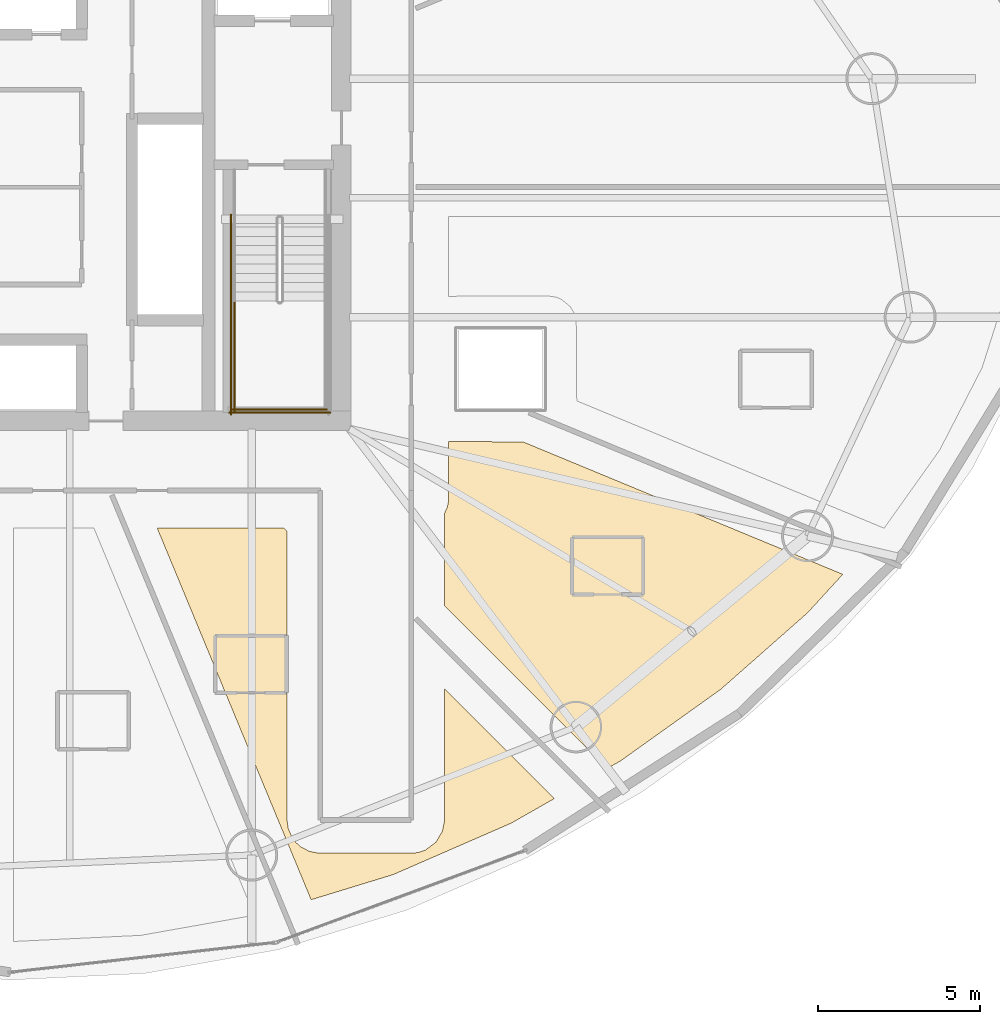
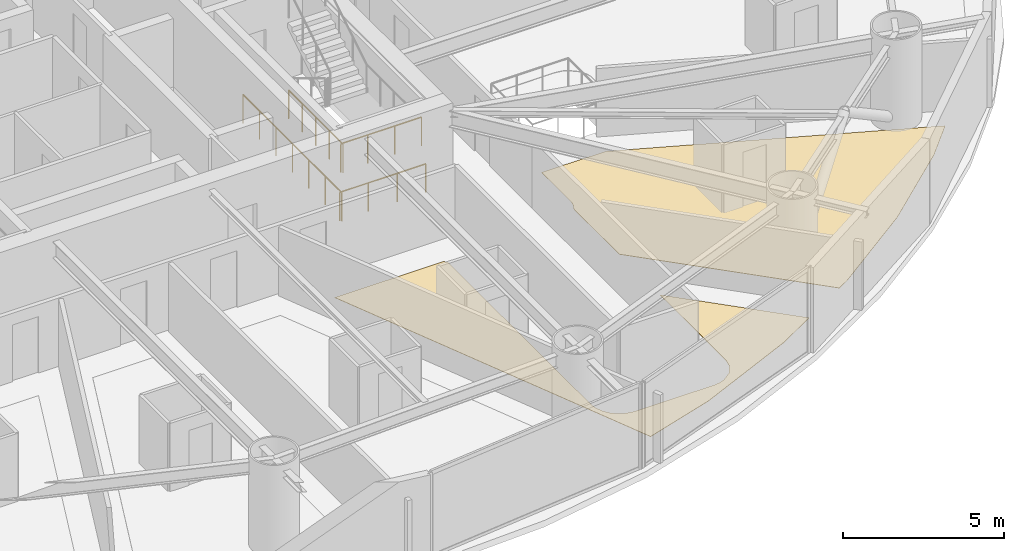
# One storey, part 25 of 27: 4 railings, 2 coverings.
"""IFC4 building model written with IfcOpenShell, lengths in metres."""

import ifcopenshell
import ifcopenshell.guid

model = None  # the IFC model being written
_history = None  # IfcOwnerHistory: only IFC2X3 demands one
_inside = {}  # id of a spatial element -> (the spatial element, [elements in it])
_under = {}  # id of a project, library or spatial element -> (it, [spatial elements below it])
_declared = {}  # id of a project -> (the project, [libraries it declares])
_typed = {}  # id of a type object -> (the type object, [elements of that type])
_made_of = {}  # id of a material, layer set ... -> (it, [elements and type objects made of it])


def new_model(schema):
    """Start an empty IFC model of exactly this schema.

    Asked for "IFC4X3", IfcOpenShell would pick the latest addendum, in which some entities
    have other attributes; the version numbers below select the first issue.
    IFC2X3 requires an IfcOwnerHistory on every rooted entity: one is made here for all.
    """
    global model, _history
    if schema == "IFC4X3":
        model = ifcopenshell.file(schema_version=(4, 3, 0, 0))
    else:
        model = ifcopenshell.file(schema=schema)
    _inside.clear()
    _under.clear()
    _declared.clear()
    _typed.clear()
    _made_of.clear()
    _history = None
    if model.schema == "IFC2X3":
        org = make("IfcOrganization", Name="unknown")
        user = make(
            "IfcPersonAndOrganization",
            ThePerson=make("IfcPerson", FamilyName="unknown"),
            TheOrganization=org,
        )
        app = make(
            "IfcApplication",
            ApplicationDeveloper=org,
            Version="unknown",
            ApplicationFullName="unknown",
            ApplicationIdentifier="unknown",
        )
        _history = make(
            "IfcOwnerHistory",
            OwningUser=user,
            OwningApplication=app,
            ChangeAction="ADDED",
            CreationDate=0,
        )
    return model


def make(cls, **values):
    """One entity of the class cls with the attributes given. An attribute that is None is left unset."""
    return model.create_entity(
        cls, **{name: value for name, value in values.items() if value is not None}
    )


def rooted(cls, **values):
    """An entity with a GlobalId (a new one), such as an element, a storey or a relation."""
    return make(cls, GlobalId=ifcopenshell.guid.new(), OwnerHistory=_history, **values)


def si_unit(unit_type, name, prefix=None):
    """IfcSIUnit, for example si_unit("LENGTHUNIT", "METRE", prefix="MILLI")."""
    return make("IfcSIUnit", UnitType=unit_type, Prefix=prefix, Name=name)


def assignment(units):
    """IfcUnitAssignment: the units of a project."""
    return None if units is None else make("IfcUnitAssignment", Units=units)


def point(xyz):
    """IfcCartesianPoint."""
    return None if xyz is None else make("IfcCartesianPoint", Coordinates=xyz)


def direction(xyz):
    """IfcDirection."""
    return None if xyz is None else make("IfcDirection", DirectionRatios=xyz)


def frame(location, z_axis=None, x_axis=None):
    """IfcAxis2Placement3D, a coordinate frame: its origin and axes. An axis left out is left unset."""
    return make(
        "IfcAxis2Placement3D",
        Location=point(location),
        Axis=direction(z_axis),
        RefDirection=direction(x_axis),
    )


def frame_2d(location, x_axis=None):
    """IfcAxis2Placement2D, a coordinate frame in the plane: its origin and x axis."""
    return make(
        "IfcAxis2Placement2D", Location=point(location), RefDirection=direction(x_axis)
    )


def origin():
    """The frame at (0, 0, 0) with its axes left unset."""
    return frame((0.0, 0.0, 0.0))


def origin_2d():
    """The frame at (0, 0) in the plane with its x axis left unset."""
    return frame_2d((0.0, 0.0))


def place(relative_to, where):
    """IfcLocalPlacement: puts the frame where relative to a parent placement (None: the world)."""
    return make(
        "IfcLocalPlacement", PlacementRelTo=relative_to, RelativePlacement=where
    )


def context(
    kind, dimensions, precision=None, world=None, true_north=None, identifier=None
):
    """IfcGeometricRepresentationContext, for example the 3D "Model" context."""
    return make(
        "IfcGeometricRepresentationContext",
        ContextIdentifier=identifier,
        ContextType=kind,
        CoordinateSpaceDimension=dimensions,
        Precision=precision,
        WorldCoordinateSystem=world,
        TrueNorth=true_north,
    )


def subcontext(parent, identifier, kind, view, scale=None):
    """IfcGeometricRepresentationSubContext, for example "Body" below "Model"."""
    return make(
        "IfcGeometricRepresentationSubContext",
        ContextIdentifier=identifier,
        ContextType=kind,
        ParentContext=parent,
        TargetScale=scale,
        TargetView=view,
    )


def project(units=None, contexts=None):
    """IfcProject with its units and contexts."""
    return rooted(
        "IfcProject",
        Name="project",
        RepresentationContexts=contexts,
        UnitsInContext=assignment(units),
    )


def spatial(cls, under=None, at=None, **own):
    """A site, building, storey or space (cls), placed at a placement, below another one or the project."""
    s = rooted(cls, ObjectPlacement=at, **own)
    if under is not None:
        _under.setdefault(under.id(), (under, []))[1].append(s)
    return s


def polyline(points):
    """IfcPolyline through the points."""
    return make("IfcPolyline", Points=[point(p) for p in points])


def profile(cls, at=None, kind="AREA", **sizes):
    """A parametric profile (cls). Its sizes go by their IFC names, for example OverallWidth=200.0."""
    return make(cls, ProfileType=kind, Position=at, **sizes)


def circle(**sizes):
    """IfcCircleProfileDef."""
    return profile("IfcCircleProfileDef", **sizes)


def outline(outer, holes=None, kind="AREA"):
    """IfcArbitraryClosedProfileDef: a profile drawn as a closed curve; with holes, ...WithVoids."""
    if holes is None:
        return make("IfcArbitraryClosedProfileDef", ProfileType=kind, OuterCurve=outer)
    return make(
        "IfcArbitraryProfileDefWithVoids",
        ProfileType=kind,
        OuterCurve=outer,
        InnerCurves=holes,
    )


def extrude(swept, where, along, depth):
    """IfcExtrudedAreaSolid: the profile swept, set in the frame where, extruded along a direction by depth."""
    return make(
        "IfcExtrudedAreaSolid",
        SweptArea=swept,
        Position=where,
        ExtrudedDirection=direction(along),
        Depth=depth,
    )


def shape(context_of_items, identifier, shape_type, items):
    """IfcShapeRepresentation: the items that make up one representation, for example the "Body"."""
    return make(
        "IfcShapeRepresentation",
        ContextOfItems=context_of_items,
        RepresentationIdentifier=identifier,
        RepresentationType=shape_type,
        Items=items,
    )


def material(Name=None, Category=None):
    """IfcMaterial."""
    return make("IfcMaterial", Name=Name, Category=Category)


def layer(
    of_material, thickness, ventilated=None, Name=None, Category=None, Priority=None
):
    """IfcMaterialLayer: one layer of a wall or slab, of a material (None: an air gap)."""
    return make(
        "IfcMaterialLayer",
        Material=of_material,
        LayerThickness=thickness,
        IsVentilated=ventilated,
        Name=Name,
        Category=Category,
        Priority=Priority,
    )


def layer_set(layers, Name=None):
    """IfcMaterialLayerSet."""
    return make("IfcMaterialLayerSet", MaterialLayers=layers, LayerSetName=Name)


def made_of(thing, what):
    """Note that an element or type object is made of a material, layer set ...; save() writes the relation."""
    if what is not None:
        _made_of.setdefault(what.id(), (what, []))[1].append(thing)
    return thing


def type_object(cls, material=None, **own):
    """A type object (cls), such as IfcWallType, which elements share."""
    return made_of(rooted(cls, **own), material)


def element(
    cls,
    number,
    at=None,
    inside=None,
    cuts=None,
    type_object=None,
    material=None,
    context=None,
    identifier="Body",
    shape_type=None,
    held_by="IfcProductDefinitionShape",
    body=None,
    shapes=None,
    **own,
):
    """One element of the class cls, such as IfcWall. Its Tag is "e" and its number.

    at: its placement. inside: the storey or other place that contains it. cuts: it is an
    opening in that element (IfcRelVoidsElement). A single representation is given by context,
    identifier, shape_type and body (its items); several are given by shapes. held_by: the class
    of the entity that holds the representations. save() writes the other relations.
    """
    e = rooted(cls, Tag="e%d" % number, ObjectPlacement=at, **own)
    if body is not None:
        shapes = [shape(context, identifier, shape_type, body)]
    if shapes is not None:
        e.Representation = make(held_by, Representations=shapes)
    if inside is not None:
        _inside.setdefault(inside.id(), (inside, []))[1].append(e)
    if cuts is not None:
        rooted(
            "IfcRelVoidsElement", RelatingBuildingElement=cuts, RelatedOpeningElement=e
        )
    if type_object is not None:
        _typed.setdefault(type_object.id(), (type_object, []))[1].append(e)
    return made_of(e, material)


def aggregate(whole, parts):
    """IfcRelAggregates: a whole, such as a stair, and the parts it consists of."""
    return rooted("IfcRelAggregates", RelatingObject=whole, RelatedObjects=parts)


def save(model, path):
    """Write the relations noted so far, then the file.

    IfcRelAggregates (storeys below a building ...), IfcRelContainedInSpatialStructure (elements
    in a storey), IfcRelDefinesByType, IfcRelAssociatesMaterial and IfcRelDeclares: one each for
    every whole, place, type object, material and project.
    """
    for whole, parts in _under.values():
        aggregate(whole, parts)
    for where, things in _inside.values():
        rooted(
            "IfcRelContainedInSpatialStructure",
            RelatedElements=things,
            RelatingStructure=where,
        )
    for kind, things in _typed.values():
        rooted("IfcRelDefinesByType", RelatedObjects=things, RelatingType=kind)
    for what, things in _made_of.values():
        rooted("IfcRelAssociatesMaterial", RelatedObjects=things, RelatingMaterial=what)
    for by, libraries in _declared.values():
        rooted("IfcRelDeclares", RelatingContext=by, RelatedDefinitions=libraries)
    model.write(path)


model = new_model("IFC4")

# Units and contexts
model_context = context("Model", 3, precision=1e-05, world=origin(), true_north=direction((0.0, 1.0)))
body_context = subcontext(model_context, "Body", "Model", "MODEL_VIEW")
ifc_project = project(units=[si_unit("LENGTHUNIT", "METRE"), si_unit("AREAUNIT", "SQUARE_METRE"), si_unit("VOLUMEUNIT", "CUBIC_METRE"), si_unit("PLANEANGLEUNIT", "RADIAN"), si_unit("MASSUNIT", "GRAM", prefix="KILO")], contexts=[model_context])

# Site, building, storey
site_placement = place(None, origin())
site = spatial("IfcSite", under=ifc_project, at=site_placement, CompositionType="ELEMENT")
building_placement = place(site_placement, origin())
building = spatial("IfcBuilding", under=site, at=building_placement, Name="Bramvorn Convention Spire", CompositionType="ELEMENT")
storey_placement = place(building_placement, frame((0.0, 0.0, 41.39990234375)))
storey = spatial("IfcBuildingStorey", under=building, at=storey_placement, Name="L07", CompositionType="ELEMENT", Elevation=41.39990234375)

# Coverings
ifc_material_1 = material(Name="Solution-Dyed Wool Broadloom Hospitality Carpet", Category="textile")
ifc_layer = layer(ifc_material_1, 0.014892578125)
ifc_layer_set = layer_set([ifc_layer], Name="Solution-Dyed Wool Broadloom Hospitality Carpet - FLR-CARPET-15")
covering_type = type_object("IfcCoveringType", Name="FLR-CARPET-15", PredefinedType="FLOORING", material=ifc_layer_set)
covering_1_placement = place(storey_placement, origin())
element("IfcCovering", 1, at=covering_1_placement, inside=storey, type_object=covering_type, Name="Hotel Suite 0714 wool broadloom carpet", PredefinedType="FLOORING", context=body_context, shape_type="SweptSolid", body=[
    extrude(outline(polyline([(54.23046875, 6.40625), (55.56201171875, 7.1650390625), (52.169921875, 10.55712890625), (52.168212890625, 6.444091796875), (52.1083984375, 6.15087890625), (51.90966796875, 5.819580078125), (51.59130859375, 5.58056640625), (51.39208984375, 5.50927734375), (51.194091796875, 5.481201171875), (48.294189453125, 5.481689453125), (48.011962890625, 5.537841796875), (47.747314453125, 5.67724609375), (47.598388671875, 5.810791015625), (47.47216796875, 5.980712890625), (47.362060546875, 6.24658203125), (47.3310546875, 6.455810546875), (47.330078125, 15.397216796875), (47.227294921875, 15.5), (43.323486328125, 15.5), (48.06689453125, 4.048095703125), (50.593994140625, 4.821533203125), (54.23046875, 6.40625)])), origin(), (0.0, 0.0, 1.0), 0.01513671875),
])
covering_2_placement = place(storey_placement, origin())
element("IfcCovering", 2, at=covering_2_placement, inside=storey, type_object=covering_type, Name="Hotel Suite 0715 wool broadloom carpet", PredefinedType="FLOORING", context=body_context, shape_type="SweptSolid", body=[
    extrude(outline(polyline([(52.169921875, 13.102783203125), (57.183837890625, 8.089111328125), (57.612060546875, 8.3330078125), (60.676513671875, 10.521484375), (63.3662109375, 12.891845703125), (64.4443359375, 14.072265625), (54.599853515625, 18.14990234375), (52.300048828125, 18.16357421875), (52.295654296875, 16.311767578125), (52.26123046875, 16.138671875), (52.169921875, 15.936279296875), (52.169921875, 13.102783203125)])), origin(), (0.0, 0.0, 1.0), 0.01513671875),
])

# Railings
ifc_material_2 = material(Name="Painted Steel Balustrade & Guardrail", Category="steel")
railing_type = type_object("IfcRailingType", Name="RL-STAIR-GUARD-1100", PredefinedType="GUARDRAIL", material=ifc_material_2)
railing_1_placement = place(storey_placement, frame((45.699951171875, 22.485107421875, 1.75)))
element("IfcRailing", 3, at=railing_1_placement, inside=storey, type_object=railing_type, Name="L07 ST2 stair guard 3", PredefinedType="GUARDRAIL", context=body_context, shape_type="SweptSolid", body=[
    extrude(circle(Radius=0.02392578125, at=origin_2d()), frame((0.0, 0.0, 1.076171875), z_axis=(0.0, -1.0, 0.0), x_axis=(1.0, 0.0, 0.0)), (0.0, 0.0, 1.0), 3.385009765625),
    extrude(circle(Radius=0.02099609375, at=origin_2d()), origin(), (0.0, 0.0, 1.0), 1.052001953125),
    extrude(circle(Radius=0.02099609375, at=origin_2d()), frame((0.0, -0.84619140625, 0.0)), (0.0, 0.0, 1.0), 1.052001953125),
    extrude(circle(Radius=0.02099609375, at=origin_2d()), frame((0.0, -1.6923828125, 0.0)), (0.0, 0.0, 1.0), 1.052001953125),
    extrude(circle(Radius=0.02099609375, at=origin_2d()), frame((0.0, -2.538818359375, 0.0)), (0.0, 0.0, 1.0), 1.052001953125),
    extrude(circle(Radius=0.02099609375, at=origin_2d()), frame((0.0, -3.385009765625, 0.0)), (0.0, 0.0, 1.0), 1.052001953125),
])
railing_2_placement = place(storey_placement, frame((45.64990234375, 19.14990234375, 1.75)))
element("IfcRailing", 4, at=railing_2_placement, inside=storey, type_object=railing_type, Name="L07 ST2 stair guard 5", PredefinedType="GUARDRAIL", context=body_context, shape_type="SweptSolid", body=[
    extrude(circle(Radius=0.02392578125, at=origin_2d()), frame((0.0, 0.0, 1.076171875), z_axis=(1.0, 0.0, 0.0), x_axis=(0.0, 1.0, 0.0)), (0.0, 0.0, 1.0), 2.900146484375),
    extrude(circle(Radius=0.02099609375, at=origin_2d()), origin(), (0.0, 0.0, 1.0), 1.052001953125),
    extrude(circle(Radius=0.02099609375, at=origin_2d()), frame((0.966796875, 0.0, 0.0)), (0.0, 0.0, 1.0), 1.052001953125),
    extrude(circle(Radius=0.02099609375, at=origin_2d()), frame((1.933349609375, 0.0, 0.0)), (0.0, 0.0, 1.0), 1.052001953125),
    extrude(circle(Radius=0.02099609375, at=origin_2d()), frame((2.900146484375, 0.0, 0.0)), (0.0, 0.0, 1.0), 1.052001953125),
])
railing_3_placement = place(storey_placement, frame((45.60009765625, 25.14990234375, 0.0)))
element("IfcRailing", 5, at=railing_3_placement, inside=storey, type_object=railing_type, Name="L07 ST2 stair guard 10", PredefinedType="GUARDRAIL", context=body_context, shape_type="SweptSolid", body=[
    extrude(circle(Radius=0.02392578125, at=origin_2d()), frame((0.0, 0.0, 1.076171875), z_axis=(0.0, -1.0, 0.0), x_axis=(1.0, 0.0, 0.0)), (0.0, 0.0, 1.0), 6.14990234375),
    extrude(circle(Radius=0.02099609375, at=origin_2d()), origin(), (0.0, 0.0, 1.0), 1.052001953125),
    extrude(circle(Radius=0.02099609375, at=origin_2d()), frame((0.0, -1.02490234375, 0.0)), (0.0, 0.0, 1.0), 1.052001953125),
    extrude(circle(Radius=0.02099609375, at=origin_2d()), frame((0.0, -2.050048828125, 0.0)), (0.0, 0.0, 1.0), 1.052001953125),
    extrude(circle(Radius=0.02099609375, at=origin_2d()), frame((0.0, -3.074951171875, 0.0)), (0.0, 0.0, 1.0), 1.052001953125),
    extrude(circle(Radius=0.02099609375, at=origin_2d()), frame((0.0, -4.099853515625, 0.0)), (0.0, 0.0, 1.0), 1.052001953125),
    extrude(circle(Radius=0.02099609375, at=origin_2d()), frame((0.0, -5.125, 0.0)), (0.0, 0.0, 1.0), 1.052001953125),
    extrude(circle(Radius=0.02099609375, at=origin_2d()), frame((0.0, -6.14990234375, 0.0)), (0.0, 0.0, 1.0), 1.052001953125),
])
railing_4_placement = place(storey_placement, frame((45.550048828125, 19.050048828125, 0.0)))
element("IfcRailing", 6, at=railing_4_placement, inside=storey, type_object=railing_type, Name="L07 ST2 stair guard 12", PredefinedType="GUARDRAIL", context=body_context, shape_type="SweptSolid", body=[
    extrude(circle(Radius=0.02392578125, at=origin_2d()), frame((0.0, 0.0, 1.076171875), z_axis=(1.0, 0.0, 0.0), x_axis=(0.0, 1.0, 0.0)), (0.0, 0.0, 1.0), 3.099853515625),
    extrude(circle(Radius=0.02099609375, at=origin_2d()), origin(), (0.0, 0.0, 1.0), 1.052001953125),
    extrude(circle(Radius=0.02099609375, at=origin_2d()), frame((1.033203125, 0.0, 0.0)), (0.0, 0.0, 1.0), 1.052001953125),
    extrude(circle(Radius=0.02099609375, at=origin_2d()), frame((2.066650390625, 0.0, 0.0)), (0.0, 0.0, 1.0), 1.052001953125),
    extrude(circle(Radius=0.02099609375, at=origin_2d()), frame((3.099853515625, 0.0, 0.0)), (0.0, 0.0, 1.0), 1.052001953125),
])

save(model, "model.ifc")
